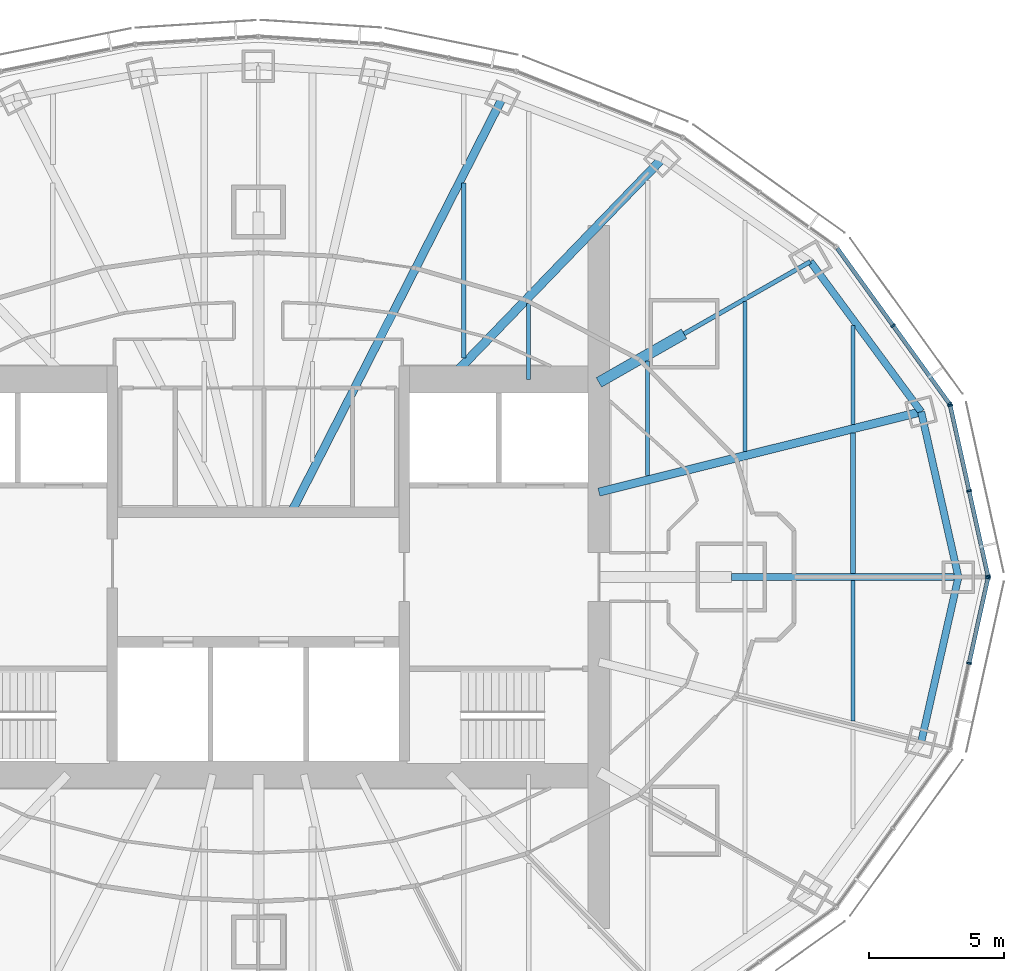
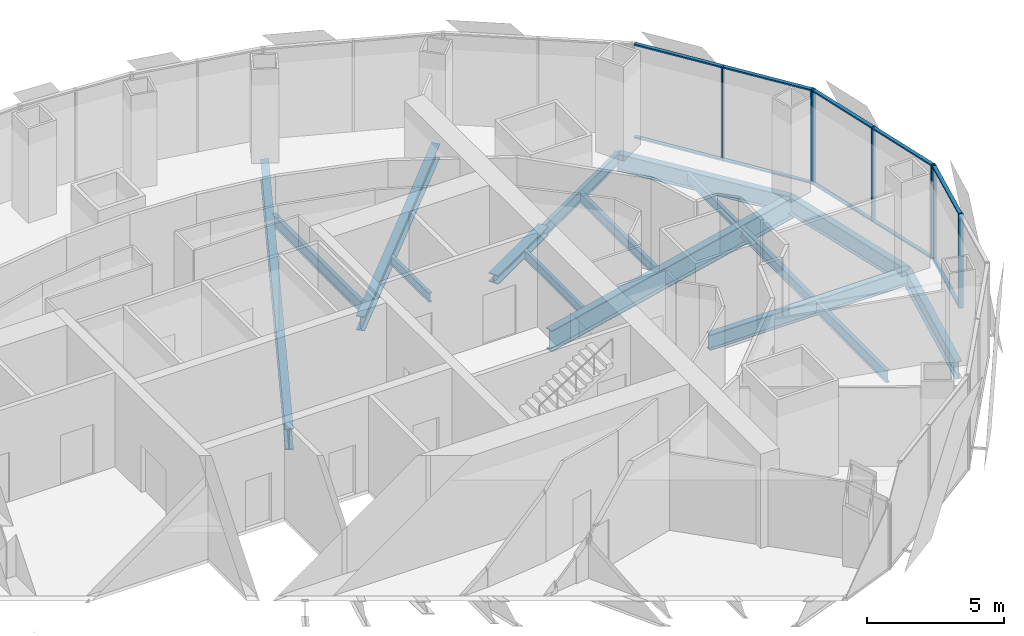
# One storey, part 7 of 17: 17 members, 16 beams, 3 elements without a shape of their own.
"""IFC4 building model written with IfcOpenShell, lengths in metres."""

from ifc_helpers import new_model, si_unit, direction, frame, origin, origin_2d, place, context, subcontext, project, spatial, rectangle, i_section, extrude, material, material_profile, profile_set, type_object, element, aggregate, save


model = new_model("IFC4")

# Units and contexts
model_context = context("Model", 3, precision=1e-05, world=origin(), true_north=direction((0.0, 1.0)))
body_context = subcontext(model_context, "Body", "Model", "MODEL_VIEW")
ifc_project = project(units=[si_unit("LENGTHUNIT", "METRE"), si_unit("AREAUNIT", "SQUARE_METRE"), si_unit("VOLUMEUNIT", "CUBIC_METRE"), si_unit("PLANEANGLEUNIT", "RADIAN"), si_unit("MASSUNIT", "GRAM", prefix="KILO")], contexts=[model_context])

# Site, building, storey
site_placement = place(None, origin())
site = spatial("IfcSite", under=ifc_project, at=site_placement, CompositionType="ELEMENT")
building_placement = place(site_placement, origin())
building = spatial("IfcBuilding", under=site, at=building_placement, Name="Lantaw Convention Tower", CompositionType="ELEMENT")
storey_placement = place(building_placement, frame((0.0, 0.0, 215.800048828125)))
storey = spatial("IfcBuildingStorey", under=building, at=storey_placement, Name="L50", CompositionType="ELEMENT", Elevation=215.800048828125)

# Beams
ifc_material_1 = material(Name="Steel ASTM A992", Category="steel")
ifc_material_profile_1 = material_profile(ifc_material_1, i_section(OverallWidth=0.2666015625, OverallDepth=0.76953125, WebThickness=0.015625, FlangeThickness=0.025390625, FilletRadius=0.0126953125, at=origin_2d()), Name="W30X132")
ifc_profile_set_1 = profile_set([ifc_material_profile_1], Name="Steel ASTM A992")
beam_type_1 = type_object("IfcBeamType", Name="Beam E W30X132", PredefinedType="SPANDREL", material=ifc_profile_set_1)
beam_1_placement = place(storey_placement, frame((25.89990234375, 0.0, -0.534912109375), z_axis=(-0.219857926596, 0.97553190215, 0.0), x_axis=(-0.97553190215, -0.219857926596, 0.0)))
element("IfcBeam", 1, at=beam_1_placement, inside=storey, type_object=beam_type_1, Name="Edge beam 1", PredefinedType="SPANDREL", context=body_context, shape_type="SweptSolid", body=[
    extrude(i_section(OverallWidth=0.2666015625, OverallDepth=0.76953125, WebThickness=0.015625, FlangeThickness=0.025390625, FilletRadius=0.0126953125, at=origin_2d()), origin(), (0.0, 0.0, 1.0), 6.267333984375),
])
beam_2_placement = place(storey_placement, frame((24.52197265625, 6.114013671875, -0.534912109375), z_axis=(-0.593639188853, 0.804731329984, 0.0), x_axis=(-0.804731329984, -0.593639188853, 0.0)))
element("IfcBeam", 2, at=beam_2_placement, inside=storey, type_object=beam_type_1, Name="Edge beam 2", PredefinedType="SPANDREL", context=body_context, shape_type="SweptSolid", body=[
    extrude(i_section(OverallWidth=0.2666015625, OverallDepth=0.76953125, WebThickness=0.015625, FlangeThickness=0.025390625, FilletRadius=0.0126953125, at=origin_2d()), origin(), (0.0, 0.0, 1.0), 6.904541015625),
])
beam_3_placement = place(storey_placement, frame((24.52197265625, -6.114013671875, -0.534912109375), z_axis=(0.219857926596, 0.97553190215, 0.0), x_axis=(-0.97553190215, 0.219857926596, 0.0)))
element("IfcBeam", 3, at=beam_3_placement, inside=storey, type_object=beam_type_1, Name="Edge beam 24", PredefinedType="SPANDREL", context=body_context, shape_type="SweptSolid", body=[
    extrude(i_section(OverallWidth=0.2666015625, OverallDepth=0.76953125, WebThickness=0.015625, FlangeThickness=0.025390625, FilletRadius=0.0126953125, at=origin_2d()), origin(), (0.0, 0.0, 1.0), 6.267333984375),
])
ifc_material_profile_2 = material_profile(ifc_material_1, i_section(OverallWidth=0.1650390625, OverallDepth=0.52587890625, WebThickness=0.0087890625, FlangeThickness=0.011474609375, FilletRadius=0.0126953125, at=origin_2d()), Name="W21X44")
ifc_profile_set_2 = profile_set([ifc_material_profile_2], Name="Steel ASTM A992")
beam_type_2 = type_object("IfcBeamType", Name="Beam G W21X44", PredefinedType="BEAM", material=ifc_profile_set_2)
beam_4_placement = place(storey_placement, frame((15.75, 9.0, -0.412841796875), z_axis=(0.868237559289, 0.496148708192, 0.0), x_axis=(-0.496148708192, 0.868237559289, 0.0)))
element("IfcBeam", 4, at=beam_4_placement, inside=storey, type_object=beam_type_2, Name="Floor girder on ray 3", PredefinedType="BEAM", context=body_context, shape_type="SweptSolid", body=[
    extrude(i_section(OverallWidth=0.1650390625, OverallDepth=0.52587890625, WebThickness=0.0087890625, FlangeThickness=0.011474609375, FilletRadius=0.0126953125, at=origin_2d()), origin(), (0.0, 0.0, 1.0), 5.38232421875),
])
ifc_material_profile_3 = material_profile(ifc_material_1, i_section(OverallWidth=0.32763671875, OverallDepth=0.64013671875, WebThickness=0.01904296875, FlangeThickness=0.033935546875, FilletRadius=0.0126953125, at=origin_2d()), Name="W24X176")
ifc_profile_set_3 = profile_set([ifc_material_profile_3], Name="Steel ASTM A992")
beam_type_3 = type_object("IfcBeamType", Name="Beam G W24X176", PredefinedType="BEAM", material=ifc_profile_set_3)
beam_5_placement = place(storey_placement, frame((7.049560546875, 7.300048828125, -0.469970703125), z_axis=(0.694657766726, 0.719340383356, 0.0), x_axis=(-0.719340383356, 0.694657766726, 0.0)))
element("IfcBeam", 5, at=beam_5_placement, inside=storey, type_object=beam_type_3, Name="Floor girder on ray 4", PredefinedType="BEAM", context=body_context, shape_type="SweptSolid", body=[
    extrude(i_section(OverallWidth=0.32763671875, OverallDepth=0.64013671875, WebThickness=0.01904296875, FlangeThickness=0.033935546875, FilletRadius=0.0126953125, at=origin_2d()), origin(), (0.0, 0.0, 1.0), 11.364990234375),
])
ifc_material_profile_4 = material_profile(ifc_material_1, i_section(OverallWidth=0.25390625, OverallDepth=0.700927734375, WebThickness=0.015380859375, FlangeThickness=0.02783203125, FilletRadius=0.01513671875, at=origin_2d()), Name="W27X129")
ifc_profile_set_4 = profile_set([ifc_material_profile_4], Name="Steel ASTM A992")
beam_type_4 = type_object("IfcBeamType", Name="Beam G W27X129", PredefinedType="BEAM", material=ifc_profile_set_4)
beam_6_placement = place(storey_placement, frame((17.5, 0.0, -0.50048828125), z_axis=(1.0, 0.0, 0.0), x_axis=(0.0, 1.0, 0.0)))
element("IfcBeam", 6, at=beam_6_placement, inside=storey, type_object=beam_type_4, Name="Floor girder on ray 1", PredefinedType="BEAM", context=body_context, shape_type="SweptSolid", body=[
    extrude(i_section(OverallWidth=0.25390625, OverallDepth=0.700927734375, WebThickness=0.015380859375, FlangeThickness=0.02783203125, FilletRadius=0.01513671875, at=origin_2d()), origin(), (0.0, 0.0, 1.0), 8.39990234375),
])
ifc_material_profile_5 = material_profile(ifc_material_1, i_section(OverallWidth=0.307373046875, OverallDepth=0.9423828125, WebThickness=0.022216796875, FlangeThickness=0.039794921875, FilletRadius=0.0126953125, at=origin_2d()), Name="W36X232")
ifc_profile_set_5 = profile_set([ifc_material_profile_5], Name="Steel ASTM A992")
beam_type_5 = type_object("IfcBeamType", Name="Beam G W36X232", PredefinedType="BEAM", material=ifc_profile_set_5)
beam_7_placement = place(storey_placement, frame((12.60009765625, 3.1416015625, -0.621337890625), z_axis=(0.970296589314, 0.241918434119, 0.0), x_axis=(-0.241918434119, 0.970296589314, 0.0)))
element("IfcBeam", 7, at=beam_7_placement, inside=storey, type_object=beam_type_5, Name="Floor girder on ray 2", PredefinedType="BEAM", context=body_context, shape_type="SweptSolid", body=[
    extrude(i_section(OverallWidth=0.307373046875, OverallDepth=0.9423828125, WebThickness=0.022216796875, FlangeThickness=0.039794921875, FilletRadius=0.0126953125, at=origin_2d()), origin(), (0.0, 0.0, 1.0), 12.286865234375),
])
beam_8_placement = place(storey_placement, frame((1.222900390625, 2.39990234375, -0.621337890625), z_axis=(0.453988481463, 0.891007552549, 0.0), x_axis=(-0.891007552549, 0.453988481463, 0.0)))
element("IfcBeam", 8, at=beam_8_placement, inside=storey, type_object=beam_type_5, Name="Floor girder on ray 5", PredefinedType="BEAM", context=body_context, shape_type="SweptSolid", body=[
    extrude(i_section(OverallWidth=0.307373046875, OverallDepth=0.9423828125, WebThickness=0.022216796875, FlangeThickness=0.039794921875, FilletRadius=0.0126953125, at=origin_2d()), origin(), (0.0, 0.0, 1.0), 17.20703125),
])
ifc_material_profile_6 = material_profile(ifc_material_1, i_section(OverallWidth=0.40380859375, OverallDepth=0.406494140625, WebThickness=0.027099609375, FlangeThickness=0.043701171875, FilletRadius=0.01513671875, at=origin_2d()), Name="W14X233")
ifc_profile_set_6 = profile_set([ifc_material_profile_6], Name="Steel ASTM A992")
beam_type_6 = type_object("IfcBeamType", Name="Beam GM W14X233", PredefinedType="BEAM", material=ifc_profile_set_6)
beam_9_placement = place(storey_placement, frame((12.60009765625, 7.199951171875, -0.353271484375), z_axis=(0.868230718294, 0.496160679428, 0.0), x_axis=(-0.496160679428, 0.868230718294, 0.0)))
element("IfcBeam", 9, at=beam_9_placement, inside=storey, type_object=beam_type_6, Name="Core link beam on ray 3", PredefinedType="BEAM", context=body_context, shape_type="SweptSolid", body=[
    extrude(i_section(OverallWidth=0.40380859375, OverallDepth=0.406494140625, WebThickness=0.027099609375, FlangeThickness=0.043701171875, FilletRadius=0.01513671875, at=origin_2d()), origin(), (0.0, 0.0, 1.0), 3.6279296875),
])
ifc_material_profile_7 = material_profile(ifc_material_1, i_section(OverallWidth=0.140380859375, OverallDepth=0.40380859375, WebThickness=0.007080078125, FlangeThickness=0.01123046875, FilletRadius=0.01025390625, at=origin_2d()), Name="W16X31")
ifc_profile_set_7 = profile_set([ifc_material_profile_7], Name="Steel ASTM A992")
beam_type_7 = type_object("IfcBeamType", Name="Beam J W16X31", PredefinedType="JOIST", material=ifc_profile_set_7)
beam_10_placement = place(storey_placement, frame((10.0, 7.300048828125, -0.35205078125), z_axis=(0.0, 1.0, 0.0), x_axis=(-1.0, 0.0, 0.0)))
element("IfcBeam", 10, at=beam_10_placement, inside=storey, type_object=beam_type_7, Name="Floor joist", PredefinedType="JOIST", context=body_context, shape_type="SweptSolid", body=[
    extrude(i_section(OverallWidth=0.140380859375, OverallDepth=0.40380859375, WebThickness=0.007080078125, FlangeThickness=0.01123046875, FilletRadius=0.01025390625, at=origin_2d()), origin(), (0.0, 0.0, 1.0), 2.8193359375),
])
beam_11_placement = place(storey_placement, frame((14.39990234375, 3.748779296875, -0.35205078125), z_axis=(0.0, 1.0, 0.0), x_axis=(-1.0, 0.0, 0.0)))
element("IfcBeam", 11, at=beam_11_placement, inside=storey, type_object=beam_type_7, Name="Floor joist", PredefinedType="JOIST", context=body_context, shape_type="SweptSolid", body=[
    extrude(i_section(OverallWidth=0.140380859375, OverallDepth=0.40380859375, WebThickness=0.007080078125, FlangeThickness=0.01123046875, FilletRadius=0.01025390625, at=origin_2d()), origin(), (0.0, 0.0, 1.0), 4.247314453125),
])
beam_12_placement = place(storey_placement, frame((22.0, 5.6435546875, -0.35205078125), z_axis=(0.0, 1.0, 0.0), x_axis=(-1.0, 0.0, 0.0)))
element("IfcBeam", 12, at=beam_12_placement, inside=storey, type_object=beam_type_7, Name="Floor joist", PredefinedType="JOIST", context=body_context, shape_type="SweptSolid", body=[
    extrude(i_section(OverallWidth=0.140380859375, OverallDepth=0.40380859375, WebThickness=0.007080078125, FlangeThickness=0.01123046875, FilletRadius=0.01025390625, at=origin_2d()), origin(), (0.0, 0.0, 1.0), 3.66455078125),
])
ifc_material_profile_8 = material_profile(ifc_material_1, i_section(OverallWidth=0.15234375, OverallDepth=0.449462890625, WebThickness=0.007568359375, FlangeThickness=0.0107421875, FilletRadius=0.01025390625, at=origin_2d()), Name="W18X35")
ifc_profile_set_8 = profile_set([ifc_material_profile_8], Name="Steel ASTM A992")
beam_type_8 = type_object("IfcBeamType", Name="Beam J W18X35", PredefinedType="JOIST", material=ifc_profile_set_8)
beam_13_placement = place(storey_placement, frame((18.0, 4.646240234375, -0.374755859375), z_axis=(0.0, 1.0, 0.0), x_axis=(-1.0, 0.0, 0.0)))
element("IfcBeam", 13, at=beam_13_placement, inside=storey, type_object=beam_type_8, Name="Floor joist", PredefinedType="JOIST", context=body_context, shape_type="SweptSolid", body=[
    extrude(i_section(OverallWidth=0.15234375, OverallDepth=0.449462890625, WebThickness=0.007568359375, FlangeThickness=0.0107421875, FilletRadius=0.01025390625, at=origin_2d()), origin(), (0.0, 0.0, 1.0), 5.54443359375),
])
ifc_material_profile_9 = material_profile(ifc_material_1, i_section(OverallWidth=0.1904296875, OverallDepth=0.457275390625, WebThickness=0.009033203125, FlangeThickness=0.014404296875, FilletRadius=0.01025390625, at=origin_2d()), Name="W18X50")
ifc_profile_set_9 = profile_set([ifc_material_profile_9], Name="Steel ASTM A992")
beam_type_9 = type_object("IfcBeamType", Name="Beam J W18X50", PredefinedType="JOIST", material=ifc_profile_set_9)
beam_14_placement = place(storey_placement, frame((22.0, 0.126953125, -0.378662109375), z_axis=(0.0, 1.0, 0.0), x_axis=(-1.0, 0.0, 0.0)))
element("IfcBeam", 14, at=beam_14_placement, inside=storey, type_object=beam_type_9, Name="Floor joist", PredefinedType="JOIST", context=body_context, shape_type="SweptSolid", body=[
    extrude(i_section(OverallWidth=0.1904296875, OverallDepth=0.457275390625, WebThickness=0.009033203125, FlangeThickness=0.014404296875, FilletRadius=0.01025390625, at=origin_2d()), origin(), (0.0, 0.0, 1.0), 5.199951171875),
])
ifc_material_profile_10 = material_profile(ifc_material_1, i_section(OverallWidth=0.1650390625, OverallDepth=0.52587890625, WebThickness=0.0087890625, FlangeThickness=0.011474609375, FilletRadius=0.0126953125, at=origin_2d()), Name="W21X44")
ifc_profile_set_10 = profile_set([ifc_material_profile_10], Name="Steel ASTM A992")
beam_type_10 = type_object("IfcBeamType", Name="Beam J W21X44", PredefinedType="JOIST", material=ifc_profile_set_10)
beam_15_placement = place(storey_placement, frame((7.60009765625, 8.10595703125, -0.412841796875), z_axis=(0.0, 1.0, 0.0), x_axis=(-1.0, 0.0, 0.0)))
element("IfcBeam", 15, at=beam_15_placement, inside=storey, type_object=beam_type_10, Name="Floor joist", PredefinedType="JOIST", context=body_context, shape_type="SweptSolid", body=[
    extrude(i_section(OverallWidth=0.1650390625, OverallDepth=0.52587890625, WebThickness=0.0087890625, FlangeThickness=0.011474609375, FilletRadius=0.0126953125, at=origin_2d()), origin(), (0.0, 0.0, 1.0), 6.471435546875),
])
beam_16_placement = place(storey_placement, frame((22.0, -5.326904296875, -0.412841796875), z_axis=(0.0, 1.0, 0.0), x_axis=(-1.0, 0.0, 0.0)))
element("IfcBeam", 16, at=beam_16_placement, inside=storey, type_object=beam_type_10, Name="Floor joist", PredefinedType="JOIST", context=body_context, shape_type="SweptSolid", body=[
    extrude(i_section(OverallWidth=0.1650390625, OverallDepth=0.52587890625, WebThickness=0.0087890625, FlangeThickness=0.011474609375, FilletRadius=0.0126953125, at=origin_2d()), origin(), (0.0, 0.0, 1.0), 5.199951171875),
])

# Curtain wall, members
ifc_material_2 = material(Name="Aluminium framed curtain wall", Category="aluminium")
curtain_wall_type = type_object("IfcCurtainWallType", Name="Office curtain wall high rise, pale aluminium", PredefinedType="USERDEFINED", material=ifc_material_2)
curtain_wall_1_placement = place(storey_placement, origin())
curtain_wall_1 = element("IfcCurtainWall", 17, at=curtain_wall_1_placement, inside=storey, type_object=curtain_wall_type, Name="Office curtain wall high rise, pale aluminium L50", ObjectType="UNITISED CURTAIN WALL", PredefinedType="USERDEFINED")
ifc_material_3 = material(Name="Aluminium 6063-T6", Category="aluminium")
ifc_material_profile_11 = material_profile(ifc_material_3, rectangle(XDim=0.179931640625, YDim=0.06494140625, at=origin_2d()), Name="CW-O2 mullion 65x180")
ifc_profile_set_11 = profile_set([ifc_material_profile_11], Name="Aluminium 6063-T6")
member_type_1 = type_object("IfcMemberType", Name="CW-O2 mullion 65x180", PredefinedType="MULLION", material=ifc_profile_set_11)
member_1_placement = place(storey_placement, frame((26.992919921875, 0.03173828125, -0.150146484375), z_axis=(0.0, 0.0, 1.0), x_axis=(-0.976417396437, -0.215891333626, 0.0)))
member_1 = element("IfcMember", 18, at=member_1_placement, type_object=member_type_1, Name="CW-O2 mullion 1", PredefinedType="MULLION", context=body_context, shape_type="SweptSolid", body=[
    extrude(rectangle(XDim=0.179931640625, YDim=0.06494140625, at=origin_2d()), origin(), (0.0, 0.0, 1.0), 4.2001953125),
])
member_2_placement = place(storey_placement, frame((26.294677734375, 3.190185546875, -0.150146484375), z_axis=(0.0, 0.0, 1.0), x_axis=(-0.976417396437, -0.215891333626, 0.0)))
member_2 = element("IfcMember", 19, at=member_2_placement, type_object=member_type_1, Name="CW-O2 mullion 2", PredefinedType="MULLION", context=body_context, shape_type="SweptSolid", body=[
    extrude(rectangle(XDim=0.179931640625, YDim=0.06494140625, at=origin_2d()), origin(), (0.0, 0.0, 1.0), 4.2001953125),
])
member_3_placement = place(storey_placement, frame((25.596435546875, 6.348388671875, -0.150146484375), z_axis=(0.0, 0.0, 1.0), x_axis=(-0.976417396437, -0.215891333626, 0.0)))
member_3 = element("IfcMember", 20, at=member_3_placement, type_object=member_type_1, Name="CW-O2 mullion 3", PredefinedType="MULLION", context=body_context, shape_type="SweptSolid", body=[
    extrude(rectangle(XDim=0.179931640625, YDim=0.06494140625, at=origin_2d()), origin(), (0.0, 0.0, 1.0), 4.2001953125),
])

curtain_wall_2_placement = place(storey_placement, origin())
curtain_wall_2 = element("IfcCurtainWall", 21, at=curtain_wall_2_placement, inside=storey, type_object=curtain_wall_type, Name="Office curtain wall high rise, pale aluminium L50", ObjectType="UNITISED CURTAIN WALL", PredefinedType="USERDEFINED")
member_4_placement = place(storey_placement, frame((25.5703125, 6.406494140625, -0.150146484375), z_axis=(0.0, 0.0, 1.0), x_axis=(-0.810919559405, -0.585157643865, 0.0)))
member_4 = element("IfcMember", 22, at=member_4_placement, type_object=member_type_1, Name="CW-O2 mullion 1", PredefinedType="MULLION", context=body_context, shape_type="SweptSolid", body=[
    extrude(rectangle(XDim=0.179931640625, YDim=0.06494140625, at=origin_2d()), origin(), (0.0, 0.0, 1.0), 4.2001953125),
])
member_5_placement = place(storey_placement, frame((23.483642578125, 9.298095703125, -0.150146484375), z_axis=(0.0, 0.0, 1.0), x_axis=(-0.810919559405, -0.585157643865, 0.0)))
member_5 = element("IfcMember", 23, at=member_5_placement, type_object=member_type_1, Name="CW-O2 mullion 2", PredefinedType="MULLION", context=body_context, shape_type="SweptSolid", body=[
    extrude(rectangle(XDim=0.179931640625, YDim=0.06494140625, at=origin_2d()), origin(), (0.0, 0.0, 1.0), 4.2001953125),
])

curtain_wall_3_placement = place(storey_placement, origin())
curtain_wall_3 = element("IfcCurtainWall", 24, at=curtain_wall_3_placement, inside=storey, type_object=curtain_wall_type, Name="Office curtain wall high rise, pale aluminium L50", ObjectType="UNITISED CURTAIN WALL", PredefinedType="USERDEFINED")
member_6_placement = place(storey_placement, frame((26.294677734375, -3.190185546875, -0.150146484375), z_axis=(0.0, 0.0, 1.0), x_axis=(-0.976417396437, 0.215891333626, 0.0)))
member_6 = element("IfcMember", 25, at=member_6_placement, type_object=member_type_1, Name="CW-O2 mullion 2", PredefinedType="MULLION", context=body_context, shape_type="SweptSolid", body=[
    extrude(rectangle(XDim=0.179931640625, YDim=0.06494140625, at=origin_2d()), origin(), (0.0, 0.0, 1.0), 4.2001953125),
])
member_7_placement = place(storey_placement, frame((26.992919921875, -0.03173828125, -0.150146484375), z_axis=(0.0, 0.0, 1.0), x_axis=(-0.976417396437, 0.215891333626, 0.0)))
member_7 = element("IfcMember", 26, at=member_7_placement, type_object=member_type_1, Name="CW-O2 mullion 3", PredefinedType="MULLION", context=body_context, shape_type="SweptSolid", body=[
    extrude(rectangle(XDim=0.179931640625, YDim=0.06494140625, at=origin_2d()), origin(), (0.0, 0.0, 1.0), 4.2001953125),
])

# Member
ifc_material_profile_12 = material_profile(ifc_material_3, rectangle(XDim=0.14990234375, YDim=0.06494140625, at=origin_2d()), Name="CW-O2 transom 65x150")
ifc_profile_set_12 = profile_set([ifc_material_profile_12], Name="Aluminium 6063-T6")
member_type_2 = type_object("IfcMemberType", Name="CW-O2 transom 65x150", PredefinedType="USERDEFINED", material=ifc_profile_set_12)
member_8_placement = place(storey_placement, frame((26.986083984375, 0.0634765625, -0.117431640625), z_axis=(-0.215894607042, 0.976416672661, 0.0), x_axis=(-0.976416672661, -0.215894607042, 0.0)))
member_8 = element("IfcMember", 27, at=member_8_placement, type_object=member_type_2, Name="CW-O2 transom 1.1", ObjectType="TRANSOM", PredefinedType="USERDEFINED", context=body_context, shape_type="SweptSolid", body=[
    extrude(rectangle(XDim=0.14990234375, YDim=0.06494140625, at=origin_2d()), origin(), (0.0, 0.0, 1.0), 3.169677734375),
])

member_9_placement = place(storey_placement, frame((26.986083984375, 0.0634765625, 4.017333984375), z_axis=(-0.215894607042, 0.976416672661, 0.0), x_axis=(-0.976416672661, -0.215894607042, 0.0)))
member_9 = element("IfcMember", 28, at=member_9_placement, type_object=member_type_2, Name="CW-O2 transom 1.2", ObjectType="TRANSOM", PredefinedType="USERDEFINED", context=body_context, shape_type="SweptSolid", body=[
    extrude(rectangle(XDim=0.14990234375, YDim=0.06494140625, at=origin_2d()), origin(), (0.0, 0.0, 1.0), 3.169677734375),
])

member_10_placement = place(storey_placement, frame((26.28759765625, 3.2216796875, -0.117431640625), z_axis=(-0.215894607042, 0.976416672661, 0.0), x_axis=(-0.976416672661, -0.215894607042, 0.0)))
member_10 = element("IfcMember", 29, at=member_10_placement, type_object=member_type_2, Name="CW-O2 transom 2.1", ObjectType="TRANSOM", PredefinedType="USERDEFINED", context=body_context, shape_type="SweptSolid", body=[
    extrude(rectangle(XDim=0.14990234375, YDim=0.06494140625, at=origin_2d()), origin(), (0.0, 0.0, 1.0), 3.169677734375),
])

member_11_placement = place(storey_placement, frame((26.28759765625, 3.2216796875, 4.017333984375), z_axis=(-0.215894607042, 0.976416672661, 0.0), x_axis=(-0.976416672661, -0.215894607042, 0.0)))
member_11 = element("IfcMember", 30, at=member_11_placement, type_object=member_type_2, Name="CW-O2 transom 2.2", ObjectType="TRANSOM", PredefinedType="USERDEFINED", context=body_context, shape_type="SweptSolid", body=[
    extrude(rectangle(XDim=0.14990234375, YDim=0.06494140625, at=origin_2d()), origin(), (0.0, 0.0, 1.0), 3.169677734375),
])

aggregate(curtain_wall_1, [member_1, member_2, member_3, member_8, member_9, member_10, member_11])

member_12_placement = place(storey_placement, frame((25.55126953125, 6.432861328125, -0.117431640625), z_axis=(-0.585169685931, 0.810910869743, 0.0), x_axis=(-0.810910869743, -0.585169685931, 0.0)))
member_12 = element("IfcMember", 31, at=member_12_placement, type_object=member_type_2, Name="CW-O2 transom 1.1", ObjectType="TRANSOM", PredefinedType="USERDEFINED", context=body_context, shape_type="SweptSolid", body=[
    extrude(rectangle(XDim=0.14990234375, YDim=0.06494140625, at=origin_2d()), origin(), (0.0, 0.0, 1.0), 3.500732421875),
])

member_13_placement = place(storey_placement, frame((25.55126953125, 6.432861328125, 4.017333984375), z_axis=(-0.585169685931, 0.810910869743, 0.0), x_axis=(-0.810910869743, -0.585169685931, 0.0)))
member_13 = element("IfcMember", 32, at=member_13_placement, type_object=member_type_2, Name="CW-O2 transom 1.2", ObjectType="TRANSOM", PredefinedType="USERDEFINED", context=body_context, shape_type="SweptSolid", body=[
    extrude(rectangle(XDim=0.14990234375, YDim=0.06494140625, at=origin_2d()), origin(), (0.0, 0.0, 1.0), 3.500732421875),
])

member_14_placement = place(storey_placement, frame((23.464599609375, 9.324462890625, -0.117431640625), z_axis=(-0.585123825205, 0.810943961798, 0.0), x_axis=(-0.810943961798, -0.585123825205, 0.0)))
member_14 = element("IfcMember", 33, at=member_14_placement, type_object=member_type_2, Name="CW-O2 transom 2.1", ObjectType="TRANSOM", PredefinedType="USERDEFINED", context=body_context, shape_type="SweptSolid", body=[
    extrude(rectangle(XDim=0.14990234375, YDim=0.06494140625, at=origin_2d()), origin(), (0.0, 0.0, 1.0), 3.500732421875),
])

member_15_placement = place(storey_placement, frame((23.464599609375, 9.324462890625, 4.017333984375), z_axis=(-0.585123825205, 0.810943961798, 0.0), x_axis=(-0.810943961798, -0.585123825205, 0.0)))
member_15 = element("IfcMember", 34, at=member_15_placement, type_object=member_type_2, Name="CW-O2 transom 2.2", ObjectType="TRANSOM", PredefinedType="USERDEFINED", context=body_context, shape_type="SweptSolid", body=[
    extrude(rectangle(XDim=0.14990234375, YDim=0.06494140625, at=origin_2d()), origin(), (0.0, 0.0, 1.0), 3.500732421875),
])

aggregate(curtain_wall_2, [member_4, member_5, member_12, member_13, member_14, member_15])

member_16_placement = place(storey_placement, frame((26.3017578125, -3.158447265625, -0.117431640625), z_axis=(0.215894607042, 0.976416672661, 0.0), x_axis=(-0.976416672661, 0.215894607042, 0.0)))
member_16 = element("IfcMember", 35, at=member_16_placement, type_object=member_type_2, Name="CW-O2 transom 2.1", ObjectType="TRANSOM", PredefinedType="USERDEFINED", context=body_context, shape_type="SweptSolid", body=[
    extrude(rectangle(XDim=0.14990234375, YDim=0.06494140625, at=origin_2d()), origin(), (0.0, 0.0, 1.0), 3.169677734375),
])

member_17_placement = place(storey_placement, frame((26.3017578125, -3.158447265625, 4.017333984375), z_axis=(0.215894607042, 0.976416672661, 0.0), x_axis=(-0.976416672661, 0.215894607042, 0.0)))
member_17 = element("IfcMember", 36, at=member_17_placement, type_object=member_type_2, Name="CW-O2 transom 2.2", ObjectType="TRANSOM", PredefinedType="USERDEFINED", context=body_context, shape_type="SweptSolid", body=[
    extrude(rectangle(XDim=0.14990234375, YDim=0.06494140625, at=origin_2d()), origin(), (0.0, 0.0, 1.0), 3.169677734375),
])

aggregate(curtain_wall_3, [member_6, member_7, member_16, member_17])

save(model, "model.ifc")
